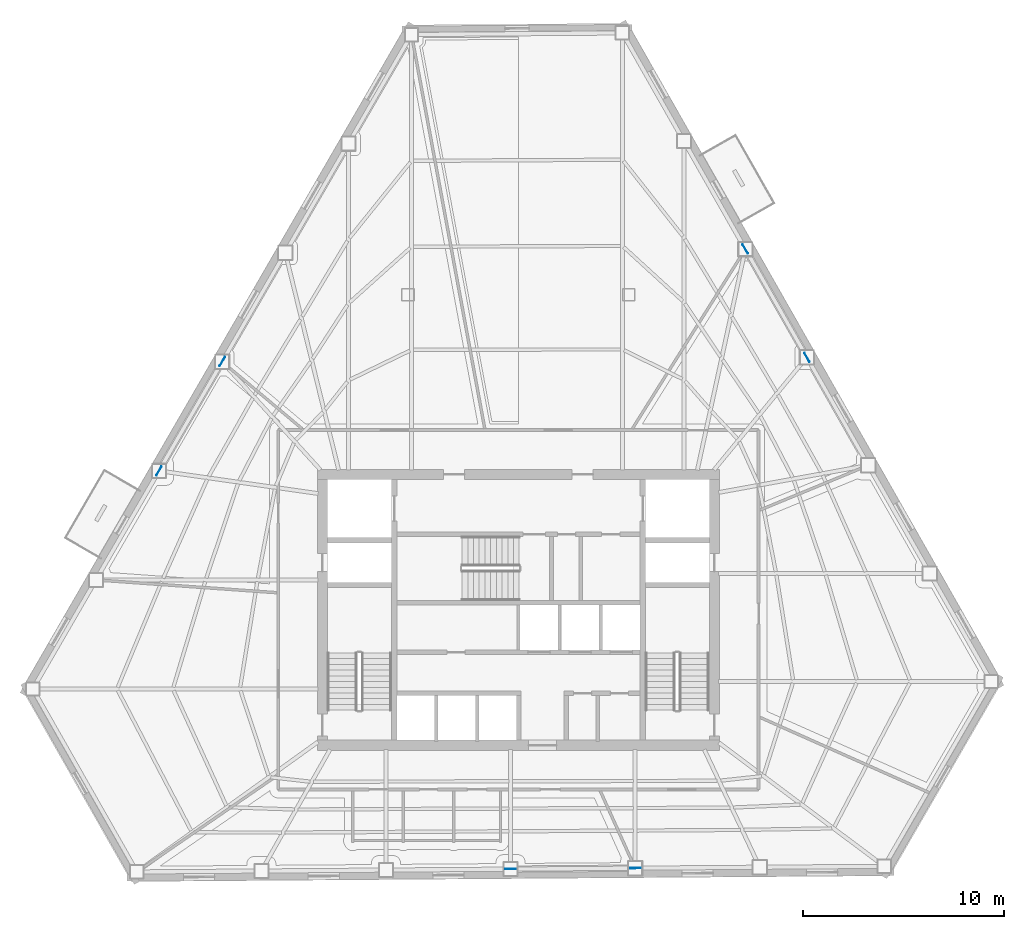
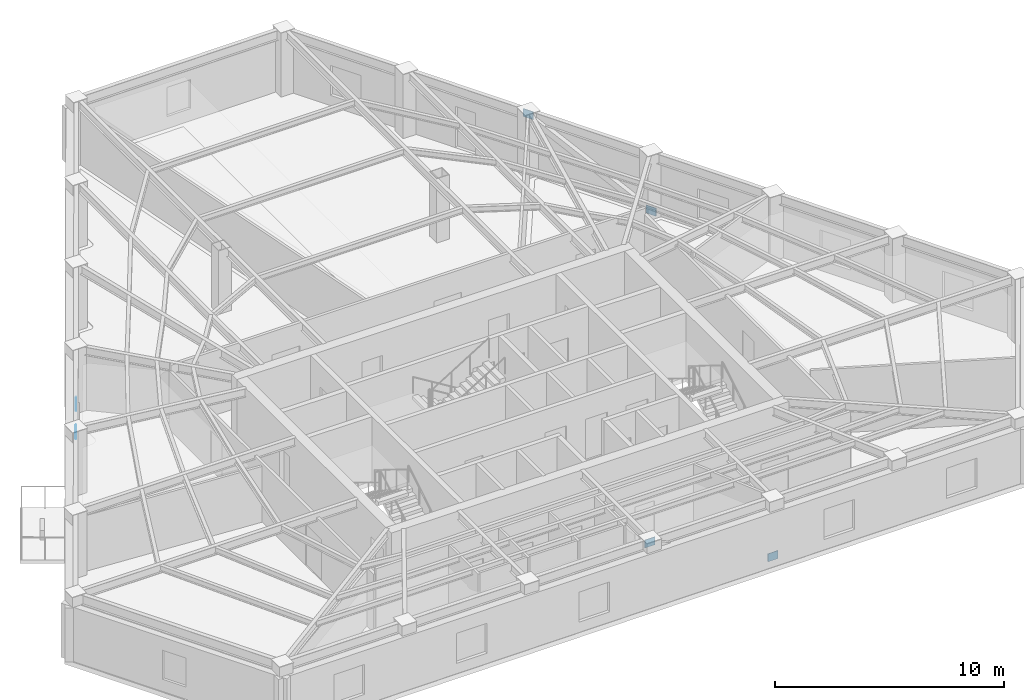
# One storey, part 4 of 10: 6 plates.
"""IFC4 building model written with IfcOpenShell, lengths in metres."""

import ifcopenshell
import ifcopenshell.guid

model = None  # the IFC model being written
_history = None  # IfcOwnerHistory: only IFC2X3 demands one
_inside = {}  # id of a spatial element -> (the spatial element, [elements in it])
_under = {}  # id of a project, library or spatial element -> (it, [spatial elements below it])
_declared = {}  # id of a project -> (the project, [libraries it declares])
_typed = {}  # id of a type object -> (the type object, [elements of that type])
_made_of = {}  # id of a material, layer set ... -> (it, [elements and type objects made of it])


def new_model(schema):
    """Start an empty IFC model of exactly this schema.

    Asked for "IFC4X3", IfcOpenShell would pick the latest addendum, in which some entities
    have other attributes; the version numbers below select the first issue.
    IFC2X3 requires an IfcOwnerHistory on every rooted entity: one is made here for all.
    """
    global model, _history
    if schema == "IFC4X3":
        model = ifcopenshell.file(schema_version=(4, 3, 0, 0))
    else:
        model = ifcopenshell.file(schema=schema)
    _inside.clear()
    _under.clear()
    _declared.clear()
    _typed.clear()
    _made_of.clear()
    _history = None
    if model.schema == "IFC2X3":
        org = make("IfcOrganization", Name="unknown")
        user = make(
            "IfcPersonAndOrganization",
            ThePerson=make("IfcPerson", FamilyName="unknown"),
            TheOrganization=org,
        )
        app = make(
            "IfcApplication",
            ApplicationDeveloper=org,
            Version="unknown",
            ApplicationFullName="unknown",
            ApplicationIdentifier="unknown",
        )
        _history = make(
            "IfcOwnerHistory",
            OwningUser=user,
            OwningApplication=app,
            ChangeAction="ADDED",
            CreationDate=0,
        )
    return model


def make(cls, **values):
    """One entity of the class cls with the attributes given. An attribute that is None is left unset."""
    return model.create_entity(
        cls, **{name: value for name, value in values.items() if value is not None}
    )


def rooted(cls, **values):
    """An entity with a GlobalId (a new one), such as an element, a storey or a relation."""
    return make(cls, GlobalId=ifcopenshell.guid.new(), OwnerHistory=_history, **values)


def si_unit(unit_type, name, prefix=None):
    """IfcSIUnit, for example si_unit("LENGTHUNIT", "METRE", prefix="MILLI")."""
    return make("IfcSIUnit", UnitType=unit_type, Prefix=prefix, Name=name)


def assignment(units):
    """IfcUnitAssignment: the units of a project."""
    return None if units is None else make("IfcUnitAssignment", Units=units)


def point(xyz):
    """IfcCartesianPoint."""
    return None if xyz is None else make("IfcCartesianPoint", Coordinates=xyz)


def direction(xyz):
    """IfcDirection."""
    return None if xyz is None else make("IfcDirection", DirectionRatios=xyz)


def frame(location, z_axis=None, x_axis=None):
    """IfcAxis2Placement3D, a coordinate frame: its origin and axes. An axis left out is left unset."""
    return make(
        "IfcAxis2Placement3D",
        Location=point(location),
        Axis=direction(z_axis),
        RefDirection=direction(x_axis),
    )


def frame_2d(location, x_axis=None):
    """IfcAxis2Placement2D, a coordinate frame in the plane: its origin and x axis."""
    return make(
        "IfcAxis2Placement2D", Location=point(location), RefDirection=direction(x_axis)
    )


def origin():
    """The frame at (0, 0, 0) with its axes left unset."""
    return frame((0.0, 0.0, 0.0))


def origin_2d():
    """The frame at (0, 0) in the plane with its x axis left unset."""
    return frame_2d((0.0, 0.0))


def place(relative_to, where):
    """IfcLocalPlacement: puts the frame where relative to a parent placement (None: the world)."""
    return make(
        "IfcLocalPlacement", PlacementRelTo=relative_to, RelativePlacement=where
    )


def context(
    kind, dimensions, precision=None, world=None, true_north=None, identifier=None
):
    """IfcGeometricRepresentationContext, for example the 3D "Model" context."""
    return make(
        "IfcGeometricRepresentationContext",
        ContextIdentifier=identifier,
        ContextType=kind,
        CoordinateSpaceDimension=dimensions,
        Precision=precision,
        WorldCoordinateSystem=world,
        TrueNorth=true_north,
    )


def subcontext(parent, identifier, kind, view, scale=None):
    """IfcGeometricRepresentationSubContext, for example "Body" below "Model"."""
    return make(
        "IfcGeometricRepresentationSubContext",
        ContextIdentifier=identifier,
        ContextType=kind,
        ParentContext=parent,
        TargetScale=scale,
        TargetView=view,
    )


def project(units=None, contexts=None):
    """IfcProject with its units and contexts."""
    return rooted(
        "IfcProject",
        Name="project",
        RepresentationContexts=contexts,
        UnitsInContext=assignment(units),
    )


def spatial(cls, under=None, at=None, **own):
    """A site, building, storey or space (cls), placed at a placement, below another one or the project."""
    s = rooted(cls, ObjectPlacement=at, **own)
    if under is not None:
        _under.setdefault(under.id(), (under, []))[1].append(s)
    return s


def profile(cls, at=None, kind="AREA", **sizes):
    """A parametric profile (cls). Its sizes go by their IFC names, for example OverallWidth=200.0."""
    return make(cls, ProfileType=kind, Position=at, **sizes)


def rectangle(**sizes):
    """IfcRectangleProfileDef."""
    return profile("IfcRectangleProfileDef", **sizes)


def extrude(swept, where, along, depth):
    """IfcExtrudedAreaSolid: the profile swept, set in the frame where, extruded along a direction by depth."""
    return make(
        "IfcExtrudedAreaSolid",
        SweptArea=swept,
        Position=where,
        ExtrudedDirection=direction(along),
        Depth=depth,
    )


def shape(context_of_items, identifier, shape_type, items):
    """IfcShapeRepresentation: the items that make up one representation, for example the "Body"."""
    return make(
        "IfcShapeRepresentation",
        ContextOfItems=context_of_items,
        RepresentationIdentifier=identifier,
        RepresentationType=shape_type,
        Items=items,
    )


def material(Name=None, Category=None):
    """IfcMaterial."""
    return make("IfcMaterial", Name=Name, Category=Category)


def layer(
    of_material, thickness, ventilated=None, Name=None, Category=None, Priority=None
):
    """IfcMaterialLayer: one layer of a wall or slab, of a material (None: an air gap)."""
    return make(
        "IfcMaterialLayer",
        Material=of_material,
        LayerThickness=thickness,
        IsVentilated=ventilated,
        Name=Name,
        Category=Category,
        Priority=Priority,
    )


def layer_set(layers, Name=None):
    """IfcMaterialLayerSet."""
    return make("IfcMaterialLayerSet", MaterialLayers=layers, LayerSetName=Name)


def made_of(thing, what):
    """Note that an element or type object is made of a material, layer set ...; save() writes the relation."""
    if what is not None:
        _made_of.setdefault(what.id(), (what, []))[1].append(thing)
    return thing


def type_object(cls, material=None, **own):
    """A type object (cls), such as IfcWallType, which elements share."""
    return made_of(rooted(cls, **own), material)


def element(
    cls,
    number,
    at=None,
    inside=None,
    cuts=None,
    type_object=None,
    material=None,
    context=None,
    identifier="Body",
    shape_type=None,
    held_by="IfcProductDefinitionShape",
    body=None,
    shapes=None,
    **own,
):
    """One element of the class cls, such as IfcWall. Its Tag is "e" and its number.

    at: its placement. inside: the storey or other place that contains it. cuts: it is an
    opening in that element (IfcRelVoidsElement). A single representation is given by context,
    identifier, shape_type and body (its items); several are given by shapes. held_by: the class
    of the entity that holds the representations. save() writes the other relations.
    """
    e = rooted(cls, Tag="e%d" % number, ObjectPlacement=at, **own)
    if body is not None:
        shapes = [shape(context, identifier, shape_type, body)]
    if shapes is not None:
        e.Representation = make(held_by, Representations=shapes)
    if inside is not None:
        _inside.setdefault(inside.id(), (inside, []))[1].append(e)
    if cuts is not None:
        rooted(
            "IfcRelVoidsElement", RelatingBuildingElement=cuts, RelatedOpeningElement=e
        )
    if type_object is not None:
        _typed.setdefault(type_object.id(), (type_object, []))[1].append(e)
    return made_of(e, material)


def aggregate(whole, parts):
    """IfcRelAggregates: a whole, such as a stair, and the parts it consists of."""
    return rooted("IfcRelAggregates", RelatingObject=whole, RelatedObjects=parts)


def save(model, path):
    """Write the relations noted so far, then the file.

    IfcRelAggregates (storeys below a building ...), IfcRelContainedInSpatialStructure (elements
    in a storey), IfcRelDefinesByType, IfcRelAssociatesMaterial and IfcRelDeclares: one each for
    every whole, place, type object, material and project.
    """
    for whole, parts in _under.values():
        aggregate(whole, parts)
    for where, things in _inside.values():
        rooted(
            "IfcRelContainedInSpatialStructure",
            RelatedElements=things,
            RelatingStructure=where,
        )
    for kind, things in _typed.values():
        rooted("IfcRelDefinesByType", RelatedObjects=things, RelatingType=kind)
    for what, things in _made_of.values():
        rooted("IfcRelAssociatesMaterial", RelatedObjects=things, RelatingMaterial=what)
    for by, libraries in _declared.values():
        rooted("IfcRelDeclares", RelatingContext=by, RelatedDefinitions=libraries)
    model.write(path)


model = new_model("IFC4")

# Units and contexts
model_context = context("Model", 3, precision=1e-05, world=origin(), true_north=direction((0.0, 1.0)))
body_context = subcontext(model_context, "Body", "Model", "MODEL_VIEW")
ifc_project = project(units=[si_unit("LENGTHUNIT", "METRE"), si_unit("AREAUNIT", "SQUARE_METRE"), si_unit("VOLUMEUNIT", "CUBIC_METRE"), si_unit("PLANEANGLEUNIT", "RADIAN"), si_unit("MASSUNIT", "GRAM", prefix="KILO")], contexts=[model_context])

# Site, building, storey
site_placement = place(None, origin())
site = spatial("IfcSite", under=ifc_project, at=site_placement, CompositionType="ELEMENT")
building_placement = place(site_placement, origin())
building = spatial("IfcBuilding", under=site, at=building_placement, Name="Kavelnor Concourse Tower", CompositionType="ELEMENT")
storey_placement = place(building_placement, frame((0.0, 0.0, 150.949951171875)))
storey = spatial("IfcBuildingStorey", under=building, at=storey_placement, Name="L38", CompositionType="ELEMENT", Elevation=150.949951171875)

# Plates
ifc_material = material(Name="Steel Grade 350", Category="steel")
ifc_layer = layer(ifc_material, 0.031982421875, Name="Steel Grade 350")
ifc_layer_set = layer_set([ifc_layer], Name="Steel Grade 350")
plate_type = type_object("IfcPlateType", Name="PL-GUSSET-TUBE-Z1", PredefinedType="USERDEFINED", material=ifc_layer_set)
for number, where, z_axis, x_axis, name in (
    (1, (23.241943359375, 28.470458984375, 0.010009765625), (0.0, 0.0, 1.0), (-0.500906625361, -0.865501330253, 0.0), "L38 Tube Brace Gusset GP3 F0-B3 End Gusset A"),
    (2, (20.08447265625, 23.0146484375, 2.95361328125), (0.0, 0.0, 1.0), (-0.500906625361, -0.865501330253, 0.0), "L38 Tube Brace Gusset GP3 F0-B3 End Gusset B"),
    (3, (43.827880859375, 3.22509765625, 0.010009765625), (0.0, 0.0, 1.0), (-0.999971838252, -0.007504845333, 0.0), "L38 Tube Brace Gusset GP3 F1-B3 End Gusset A"),
    (4, (37.59619140625, 3.177978515625, 2.95361328125), (0.0, 0.0, 1.0), (-0.999971838252, -0.007504845333, 0.0), "L38 Tube Brace Gusset GP3 F1-B3 End Gusset B"),
    (5, (52.3779296875, 28.67578125, 0.010009765625), (0.0, 0.0, 1.0), (-0.494397065335, 0.869236182972, 0.0), "L38 Tube Brace Gusset GP3 F2-B3 End Gusset A"),
    (6, (49.302978515625, 34.082763671875, 2.95361328125), (0.0, 0.0, 1.0), (-0.494397065335, 0.869236182972, 0.0), "L38 Tube Brace Gusset GP3 F2-B3 End Gusset B"),
):
    element("IfcPlate", number, at=place(storey_placement, frame(where, z_axis=z_axis, x_axis=x_axis)), inside=storey, type_object=plate_type, Name=name, ObjectType="GUSSET_PLATE", PredefinedType="USERDEFINED", context=body_context, shape_type="SweptSolid", body=[
        extrude(rectangle(XDim=0.52001953125, YDim=0.031982421875, at=origin_2d()), origin(), (0.0, 0.0, 1.0), 0.419921875),
    ])

save(model, "model.ifc")
